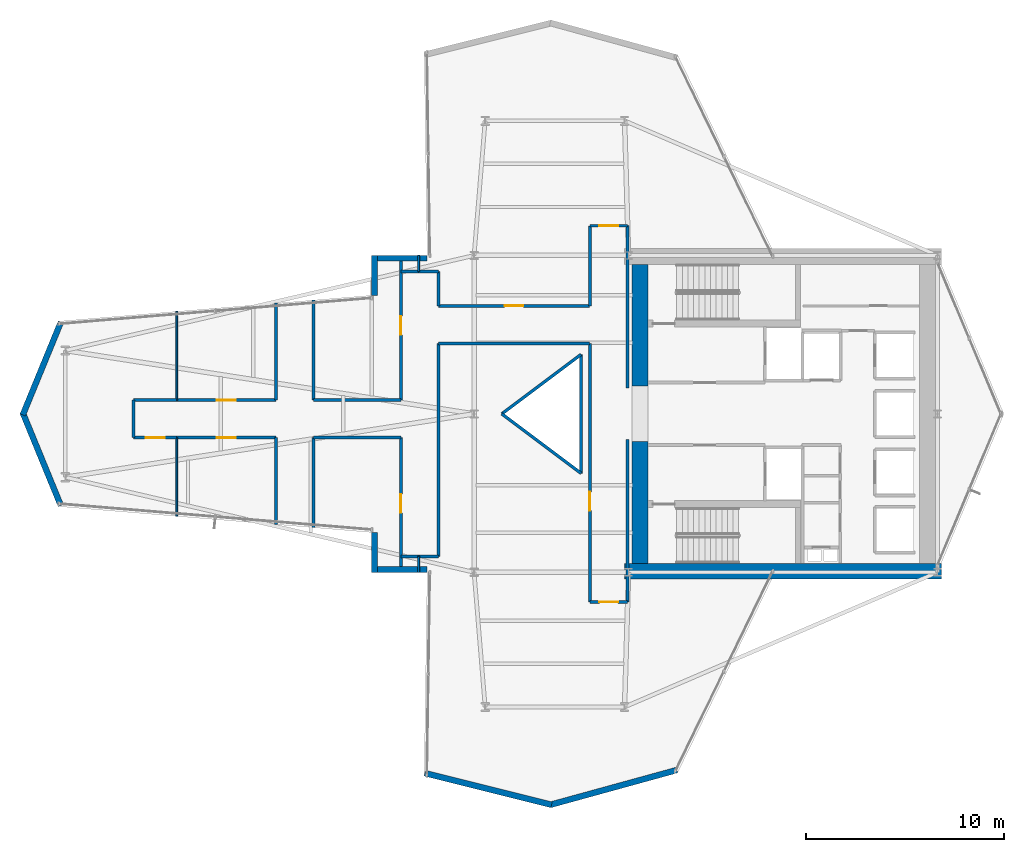
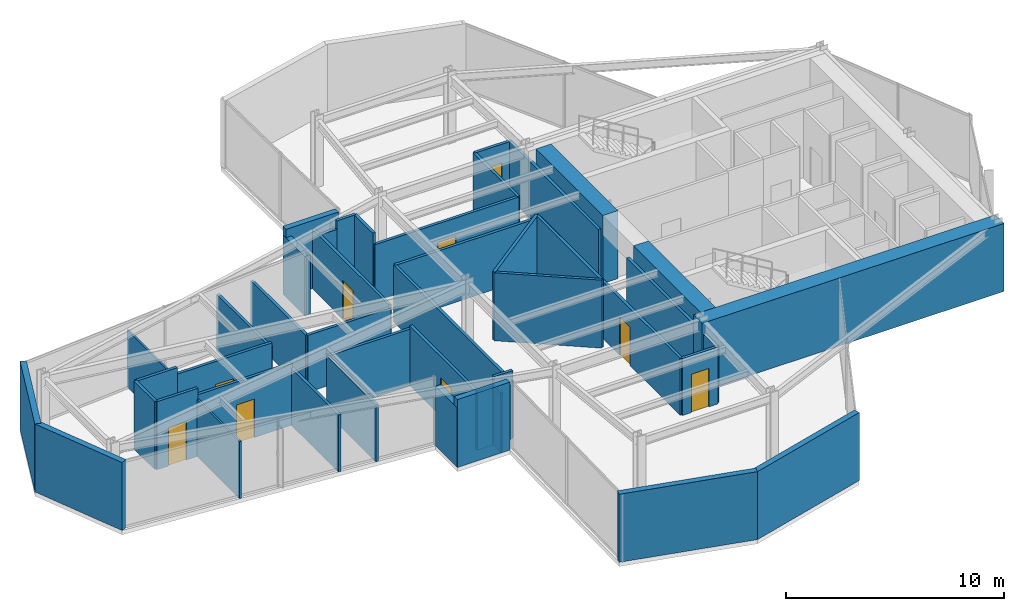
# One storey, part 22 of 25: 45 walls, 9 doors, 9 openings.
"""IFC4 building model written with IfcOpenShell, lengths in metres."""

from ifc_helpers import new_model, si_unit, direction, frame, frame_2d, origin, place, context, subcontext, project, spatial, rectangle, extrude, material, layer, layer_set, type_object, element, fill, save


model = new_model("IFC4")

# Units and contexts
model_context = context("Model", 3, precision=1e-05, world=origin(), true_north=direction((0.0, 1.0)))
body_context = subcontext(model_context, "Body", "Model", "MODEL_VIEW")
ifc_project = project(units=[si_unit("LENGTHUNIT", "METRE"), si_unit("AREAUNIT", "SQUARE_METRE"), si_unit("VOLUMEUNIT", "CUBIC_METRE"), si_unit("PLANEANGLEUNIT", "RADIAN"), si_unit("MASSUNIT", "GRAM", prefix="KILO")], contexts=[model_context])

# Site, building, storey
site_placement = place(None, origin())
site = spatial("IfcSite", under=ifc_project, at=site_placement, CompositionType="ELEMENT")
building_placement = place(site_placement, origin())
building = spatial("IfcBuilding", under=site, at=building_placement, Name="Veymaron Broadcast Tower", CompositionType="ELEMENT")
storey_placement = place(building_placement, frame((0.0, 0.0, 120.89990234375)))
storey = spatial("IfcBuildingStorey", under=building, at=storey_placement, Name="L27", CompositionType="ELEMENT", Elevation=120.89990234375)

# Walls
ifc_material_1 = material(Name="Precast concrete C40/50 with mineral-wool insulation", Category="concrete")
ifc_layer_1 = layer(ifc_material_1, 0.300048828125)
ifc_layer_set_1 = layer_set([ifc_layer_1], Name="Precast concrete C40/50 with mineral-wool insulation")
wall_type_1 = type_object("IfcWallType", Name="WALL-EXT-300", PredefinedType="STANDARD", material=ifc_layer_set_1)
wall_1_placement = place(storey_placement, frame((28.828369140625, 31.860107421875, 0.0), z_axis=(0.0, 0.0, 1.0), x_axis=(-1.0, 0.0, 0.0)))
element("IfcWall", 1, at=wall_1_placement, inside=storey, type_object=wall_type_1, Name="L27 notched corner facade pier 9-1", PredefinedType="STANDARD", context=body_context, shape_type="SweptSolid", body=[
    extrude(rectangle(XDim=2.788330078125, YDim=0.300048828125, at=frame_2d((1.39404296875, 0.0))), origin(), (0.0, 0.0, 1.0), 3.81005859375),
])
wall_2_placement = place(storey_placement, frame((26.179931640625, 32.0, 0.0), z_axis=(0.0, 0.0, 1.0), x_axis=(0.0, -1.0, 0.0)))
element("IfcWall", 2, at=wall_2_placement, inside=storey, type_object=wall_type_1, Name="L27 notched corner facade pier 10-1", PredefinedType="STANDARD", context=body_context, shape_type="SweptSolid", body=[
    extrude(rectangle(XDim=2.009521484375, YDim=0.300048828125, at=frame_2d((1.0048828125, 0.0))), origin(), (0.0, 0.0, 1.0), 3.338134765625),
])
for number, where, z_axis, x_axis, name in (
    (3, (10.32958984375, 28.62548828125, 0.0), (0.0, 0.0, 1.0), (-0.379673954521, -0.925120364201, 0.0), "L27 notched corner facade pier 12-1"),
    (4, (8.409423828125, 24.05322265625, 0.0), (0.0, 0.0, 1.0), (0.379673954521, -0.925120364201, 0.0), "L27 notched corner facade pier 13-1"),
):
    element("IfcWall", number, at=place(storey_placement, frame(where, z_axis=z_axis, x_axis=x_axis)), inside=storey, type_object=wall_type_1, Name=name, PredefinedType="STANDARD", context=body_context, shape_type="SweptSolid", body=[
        extrude(rectangle(XDim=5.057373046875, YDim=0.300048828125, at=frame_2d((2.52880859375, 0.0))), origin(), (0.0, 0.0, 1.0), 3.81005859375),
    ])
wall_3_placement = place(storey_placement, frame((26.179931640625, 18.009521484375, 0.0), z_axis=(0.0, 0.0, 1.0), x_axis=(0.0, -1.0, 0.0)))
element("IfcWall", 5, at=wall_3_placement, inside=storey, type_object=wall_type_1, Name="L27 notched corner facade pier 15-1", PredefinedType="STANDARD", context=body_context, shape_type="SweptSolid", body=[
    extrude(rectangle(XDim=2.009521484375, YDim=0.300048828125, at=frame_2d((1.0048828125, 0.0))), origin(), (0.0, 0.0, 1.0), 3.338134765625),
])
wall_4_placement = place(storey_placement, frame((26.0400390625, 16.139892578125, 0.0), z_axis=(0.0, 0.0, 1.0), x_axis=(1.0, 0.0, 0.0)))
element("IfcWall", 6, at=wall_4_placement, inside=storey, type_object=wall_type_1, Name="L27 notched corner facade pier 16-1", PredefinedType="STANDARD", context=body_context, shape_type="SweptSolid", body=[
    extrude(rectangle(XDim=2.788330078125, YDim=0.300048828125, at=frame_2d((1.39404296875, 0.0))), origin(), (0.0, 0.0, 1.0), 3.81005859375),
])
wall_5_placement = place(storey_placement, frame((28.711669921875, 5.855712890625, 0.0), z_axis=(0.0, 0.0, 1.0), x_axis=(0.970168608955, -0.242431165897, 0.0)))
element("IfcWall", 7, at=wall_5_placement, inside=storey, type_object=wall_type_1, Name="L27 notched corner facade pier 18-1", PredefinedType="STANDARD", context=body_context, shape_type="SweptSolid", body=[
    extrude(rectangle(XDim=6.59912109375, YDim=0.300048828125, at=frame_2d((3.299560546875, 0.0))), origin(), (0.0, 0.0, 1.0), 3.81005859375),
])
wall_6_placement = place(storey_placement, frame((35.04296875, 4.2548828125, 0.0), z_axis=(0.0, 0.0, 1.0), x_axis=(0.96422724659, 0.265077001894, 0.0)))
element("IfcWall", 8, at=wall_6_placement, inside=storey, type_object=wall_type_1, Name="L27 notched corner facade pier 19-1", PredefinedType="STANDARD", context=body_context, shape_type="SweptSolid", body=[
    extrude(rectangle(XDim=6.6396484375, YDim=0.300048828125, at=frame_2d((3.31982421875, 0.0))), origin(), (0.0, 0.0, 1.0), 3.81005859375),
])

# Wall, opening, door
ifc_material_2 = material(Name="Gypsum fireboard and steel stud framing", Category="steel")
ifc_layer_2 = layer(ifc_material_2, 0.14990234375)
ifc_layer_set_2 = layer_set([ifc_layer_2], Name="Gypsum fireboard and steel stud framing")
wall_type_2 = type_object("IfcWallType", Name="WALL-FIRE-150", PredefinedType="PARTITIONING", material=ifc_layer_set_2)
wall_7_placement = place(storey_placement, frame((37.050048828125, 14.5, 0.0), z_axis=(0.0, 0.0, 1.0), x_axis=(1.0, 0.0, 0.0)))
wall_7 = element("IfcWall", 9, at=wall_7_placement, inside=storey, type_object=wall_type_2, Name="L27 partition IW-L27-P03", PredefinedType="PARTITIONING", context=body_context, shape_type="SweptSolid", body=[
    extrude(rectangle(XDim=1.89990234375, YDim=0.14990234375, at=frame_2d((0.949951171875, 0.0))), origin(), (0.0, 0.0, 1.0), 3.190185546875),
])
opening_1_placement = place(wall_7_placement, frame((0.47509765625, 0.0, 0.0)))
opening_1 = element("IfcOpeningElement", 10, at=opening_1_placement, cuts=wall_7, Name="Opening ID-RM1", PredefinedType="OPENING", context=body_context, shape_type="SweptSolid", body=[
    extrude(rectangle(XDim=0.949951171875, YDim=2.14990234375, at=frame_2d((0.47509765625, 1.074951171875))), frame((0.0, 0.0849609375, 0.0), z_axis=(0.0, -1.0, 0.0), x_axis=(1.0, 0.0, 0.0)), (0.0, 0.0, 1.0), 0.169921875),
])
ifc_material_3 = material(Name="Acoustic solid-core European oak veneer timber", Category="wood")
door_type = type_object("IfcDoorType", Name="DOOR-INT-950", OperationType="NOTDEFINED", PredefinedType="DOOR", material=ifc_material_3)
door_1_placement = place(opening_1_placement, frame((0.949951171875, 0.0, 0.0), z_axis=(0.0, 0.0, 1.0), x_axis=(-1.0, 0.0, 0.0)))
door_1 = element("IfcDoor", 11, at=door_1_placement, inside=storey, type_object=door_type, Name="L27 door DR-L27-P03", OperationType="SINGLE_SWING_RIGHT", OverallHeight=2.14990234375, OverallWidth=0.949951171875, PredefinedType="DOOR", context=body_context, shape_type="SweptSolid", body=[
    extrude(rectangle(XDim=0.949951171875, YDim=2.14990234375, at=frame_2d((0.47509765625, 1.074951171875))), frame((0.0, 0.02490234375, 0.0), z_axis=(0.0, -1.0, 0.0), x_axis=(1.0, 0.0, 0.0)), (0.0, 0.0, 1.0), 0.050048828125),
])
fill(opening_1, door_1)

wall_8_placement = place(storey_placement, frame((37.050048828125, 14.5, 0.0), z_axis=(0.0, 0.0, 1.0), x_axis=(0.0, 1.0, 0.0)))
wall_8 = element("IfcWall", 12, at=wall_8_placement, inside=storey, type_object=wall_type_2, Name="L27 partition IW-L27-P04", PredefinedType="PARTITIONING", context=body_context, shape_type="SweptSolid", body=[
    extrude(rectangle(XDim=13.050048828125, YDim=0.14990234375, at=frame_2d((6.52490234375, 0.0))), origin(), (0.0, 0.0, 1.0), 3.190185546875),
])
opening_2_placement = place(wall_8_placement, frame((4.610107421875, 0.0, 0.0)))
opening_2 = element("IfcOpeningElement", 13, at=opening_2_placement, cuts=wall_8, Name="Opening ID-RM1", PredefinedType="OPENING", context=body_context, shape_type="SweptSolid", body=[
    extrude(rectangle(XDim=0.949951171875, YDim=2.14990234375, at=frame_2d((0.47509765625, 1.074951171875))), frame((0.0, 0.0849609375, 0.0), z_axis=(0.0, -1.0, 0.0), x_axis=(1.0, 0.0, 0.0)), (0.0, 0.0, 1.0), 0.169921875),
])
door_2_placement = place(opening_2_placement, frame((0.949951171875, 0.0, 0.0), z_axis=(0.0, 0.0, 1.0), x_axis=(-1.0, 0.0, 0.0)))
door_2 = element("IfcDoor", 14, at=door_2_placement, inside=storey, type_object=door_type, Name="L27 door DR-L27-P04", OperationType="SINGLE_SWING_LEFT", OverallHeight=2.14990234375, OverallWidth=0.949951171875, PredefinedType="DOOR", context=body_context, shape_type="SweptSolid", body=[
    extrude(rectangle(XDim=0.949951171875, YDim=2.14990234375, at=frame_2d((0.47509765625, 1.074951171875))), frame((0.0, 0.02490234375, 0.0), z_axis=(0.0, -1.0, 0.0), x_axis=(1.0, 0.0, 0.0)), (0.0, 0.0, 1.0), 0.050048828125),
])
fill(opening_2, door_2)

wall_9_placement = place(storey_placement, frame((27.5, 16.139892578125, 0.0), z_axis=(0.0, 0.0, 1.0), x_axis=(0.0, 1.0, 0.0)))
wall_9 = element("IfcWall", 15, at=wall_9_placement, inside=storey, type_object=wall_type_2, Name="L27 partition IW-L27-P08", PredefinedType="PARTITIONING", context=body_context, shape_type="SweptSolid", body=[
    extrude(rectangle(XDim=6.66015625, YDim=0.14990234375, at=frame_2d((3.330078125, 0.0))), origin(), (0.0, 0.0, 1.0), 3.338134765625),
])
opening_3_placement = place(wall_9_placement, frame((2.85498046875, 0.0, 0.0)))
opening_3 = element("IfcOpeningElement", 16, at=opening_3_placement, cuts=wall_9, Name="Opening ID-RM1", PredefinedType="OPENING", context=body_context, shape_type="SweptSolid", body=[
    extrude(rectangle(XDim=0.949951171875, YDim=2.14990234375, at=frame_2d((0.47509765625, 1.074951171875))), frame((0.0, 0.0849609375, 0.0), z_axis=(0.0, -1.0, 0.0), x_axis=(1.0, 0.0, 0.0)), (0.0, 0.0, 1.0), 0.169921875),
])
door_3_placement = place(opening_3_placement, origin())
door_3 = element("IfcDoor", 17, at=door_3_placement, inside=storey, type_object=door_type, Name="L27 door DR-L27-P08", OperationType="SINGLE_SWING_LEFT", OverallHeight=2.14990234375, OverallWidth=0.949951171875, PredefinedType="DOOR", context=body_context, shape_type="SweptSolid", body=[
    extrude(rectangle(XDim=0.949951171875, YDim=2.14990234375, at=frame_2d((0.47509765625, 1.074951171875))), frame((0.0, 0.02490234375, 0.0), z_axis=(0.0, -1.0, 0.0), x_axis=(1.0, 0.0, 0.0)), (0.0, 0.0, 1.0), 0.050048828125),
])
fill(opening_3, door_3)

wall_10_placement = place(storey_placement, frame((16.18603515625, 22.800048828125, 0.0), z_axis=(0.0, 0.0, 1.0), x_axis=(1.0, 0.0, 0.0)))
wall_10 = element("IfcWall", 18, at=wall_10_placement, inside=storey, type_object=wall_type_2, Name="L27 partition IW-L27-P12", PredefinedType="PARTITIONING", context=body_context, shape_type="SweptSolid", body=[
    extrude(rectangle(XDim=5.013916015625, YDim=0.14990234375, at=frame_2d((2.5068359375, 0.0))), origin(), (0.0, 0.0, 1.0), 3.443115234375),
])
opening_4_placement = place(wall_10_placement, frame((2.031982421875, 0.0, 0.0)))
opening_4 = element("IfcOpeningElement", 19, at=opening_4_placement, cuts=wall_10, Name="Opening ID-RM1", PredefinedType="OPENING", context=body_context, shape_type="SweptSolid", body=[
    extrude(rectangle(XDim=0.949951171875, YDim=2.14990234375, at=frame_2d((0.47509765625, 1.074951171875))), frame((0.0, 0.0849609375, 0.0), z_axis=(0.0, -1.0, 0.0), x_axis=(1.0, 0.0, 0.0)), (0.0, 0.0, 1.0), 0.169921875),
])
door_4_placement = place(opening_4_placement, frame((0.949951171875, 0.0, 0.0), z_axis=(0.0, 0.0, 1.0), x_axis=(-1.0, 0.0, 0.0)))
door_4 = element("IfcDoor", 20, at=door_4_placement, inside=storey, type_object=door_type, Name="L27 door DR-L27-P12", OperationType="SINGLE_SWING_LEFT", OverallHeight=2.14990234375, OverallWidth=0.949951171875, PredefinedType="DOOR", context=body_context, shape_type="SweptSolid", body=[
    extrude(rectangle(XDim=0.949951171875, YDim=2.14990234375, at=frame_2d((0.47509765625, 1.074951171875))), frame((0.0, 0.02490234375, 0.0), z_axis=(0.0, -1.0, 0.0), x_axis=(1.0, 0.0, 0.0)), (0.0, 0.0, 1.0), 0.050048828125),
])
fill(opening_4, door_4)

wall_11_placement = place(storey_placement, frame((14.0, 22.800048828125, 0.0), z_axis=(0.0, 0.0, 1.0), x_axis=(1.0, 0.0, 0.0)))
wall_11 = element("IfcWall", 21, at=wall_11_placement, inside=storey, type_object=wall_type_2, Name="L27 partition IW-L27-P14", PredefinedType="PARTITIONING", context=body_context, shape_type="SweptSolid", body=[
    extrude(rectangle(XDim=2.18603515625, YDim=0.14990234375, at=frame_2d((1.093017578125, 0.0))), origin(), (0.0, 0.0, 1.0), 3.81005859375),
])
opening_5_placement = place(wall_11_placement, frame((0.617919921875, 0.0, 0.0)))
opening_5 = element("IfcOpeningElement", 22, at=opening_5_placement, cuts=wall_11, Name="Opening ID-RM1", PredefinedType="OPENING", context=body_context, shape_type="SweptSolid", body=[
    extrude(rectangle(XDim=0.949951171875, YDim=2.14990234375, at=frame_2d((0.47509765625, 1.074951171875))), frame((0.0, 0.0849609375, 0.0), z_axis=(0.0, -1.0, 0.0), x_axis=(1.0, 0.0, 0.0)), (0.0, 0.0, 1.0), 0.169921875),
])
door_5_placement = place(opening_5_placement, frame((0.949951171875, 0.0, 0.0), z_axis=(0.0, 0.0, 1.0), x_axis=(-1.0, 0.0, 0.0)))
door_5 = element("IfcDoor", 23, at=door_5_placement, inside=storey, type_object=door_type, Name="L27 door DR-L27-P14", OperationType="SINGLE_SWING_LEFT", OverallHeight=2.14990234375, OverallWidth=0.949951171875, PredefinedType="DOOR", context=body_context, shape_type="SweptSolid", body=[
    extrude(rectangle(XDim=0.949951171875, YDim=2.14990234375, at=frame_2d((0.47509765625, 1.074951171875))), frame((0.0, 0.02490234375, 0.0), z_axis=(0.0, -1.0, 0.0), x_axis=(1.0, 0.0, 0.0)), (0.0, 0.0, 1.0), 0.050048828125),
])
fill(opening_5, door_5)

wall_12_placement = place(storey_placement, frame((16.18603515625, 24.699951171875, 0.0), z_axis=(0.0, 0.0, 1.0), x_axis=(1.0, 0.0, 0.0)))
wall_12 = element("IfcWall", 24, at=wall_12_placement, inside=storey, type_object=wall_type_2, Name="L27 partition IW-L27-P17", PredefinedType="PARTITIONING", context=body_context, shape_type="SweptSolid", body=[
    extrude(rectangle(XDim=5.013916015625, YDim=0.14990234375, at=frame_2d((2.5068359375, 0.0))), origin(), (0.0, 0.0, 1.0), 3.443115234375),
])
opening_6_placement = place(wall_12_placement, frame((2.031982421875, 0.0, 0.0)))
opening_6 = element("IfcOpeningElement", 25, at=opening_6_placement, cuts=wall_12, Name="Opening ID-RM1", PredefinedType="OPENING", context=body_context, shape_type="SweptSolid", body=[
    extrude(rectangle(XDim=0.949951171875, YDim=2.14990234375, at=frame_2d((0.47509765625, 1.074951171875))), frame((0.0, 0.0849609375, 0.0), z_axis=(0.0, -1.0, 0.0), x_axis=(1.0, 0.0, 0.0)), (0.0, 0.0, 1.0), 0.169921875),
])
door_6_placement = place(opening_6_placement, origin())
door_6 = element("IfcDoor", 26, at=door_6_placement, inside=storey, type_object=door_type, Name="L27 door DR-L27-P17", OperationType="SINGLE_SWING_RIGHT", OverallHeight=2.14990234375, OverallWidth=0.949951171875, PredefinedType="DOOR", context=body_context, shape_type="SweptSolid", body=[
    extrude(rectangle(XDim=0.949951171875, YDim=2.14990234375, at=frame_2d((0.47509765625, 1.074951171875))), frame((0.0, 0.02490234375, 0.0), z_axis=(0.0, -1.0, 0.0), x_axis=(1.0, 0.0, 0.0)), (0.0, 0.0, 1.0), 0.050048828125),
])
fill(opening_6, door_6)

wall_13_placement = place(storey_placement, frame((27.5, 24.699951171875, 0.0), z_axis=(0.0, 0.0, 1.0), x_axis=(0.0, 1.0, 0.0)))
wall_13 = element("IfcWall", 27, at=wall_13_placement, inside=storey, type_object=wall_type_2, Name="L27 partition IW-L27-P19", PredefinedType="PARTITIONING", context=body_context, shape_type="SweptSolid", body=[
    extrude(rectangle(XDim=7.16015625, YDim=0.14990234375, at=frame_2d((3.580078125, 0.0))), origin(), (0.0, 0.0, 1.0), 3.338134765625),
])
opening_7_placement = place(wall_13_placement, frame((3.284912109375, 0.0, 0.0)))
opening_7 = element("IfcOpeningElement", 28, at=opening_7_placement, cuts=wall_13, Name="Opening ID-RM1", PredefinedType="OPENING", context=body_context, shape_type="SweptSolid", body=[
    extrude(rectangle(XDim=0.949951171875, YDim=2.14990234375, at=frame_2d((0.47509765625, 1.074951171875))), frame((0.0, 0.0849609375, 0.0), z_axis=(0.0, -1.0, 0.0), x_axis=(1.0, 0.0, 0.0)), (0.0, 0.0, 1.0), 0.169921875),
])
door_7_placement = place(opening_7_placement, origin())
door_7 = element("IfcDoor", 29, at=door_7_placement, inside=storey, type_object=door_type, Name="L27 door DR-L27-P19", OperationType="SINGLE_SWING_RIGHT", OverallHeight=2.14990234375, OverallWidth=0.949951171875, PredefinedType="DOOR", context=body_context, shape_type="SweptSolid", body=[
    extrude(rectangle(XDim=0.949951171875, YDim=2.14990234375, at=frame_2d((0.47509765625, 1.074951171875))), frame((0.0, 0.02490234375, 0.0), z_axis=(0.0, -1.0, 0.0), x_axis=(1.0, 0.0, 0.0)), (0.0, 0.0, 1.0), 0.050048828125),
])
fill(opening_7, door_7)

wall_14_placement = place(storey_placement, frame((29.39990234375, 29.449951171875, 0.0), z_axis=(0.0, 0.0, 1.0), x_axis=(1.0, 0.0, 0.0)))
wall_14 = element("IfcWall", 30, at=wall_14_placement, inside=storey, type_object=wall_type_2, Name="L27 partition IW-L27-P23", PredefinedType="PARTITIONING", context=body_context, shape_type="SweptSolid", body=[
    extrude(rectangle(XDim=7.628173828125, YDim=0.14990234375, at=frame_2d((3.81396484375, 0.0))), origin(), (0.0, 0.0, 1.0), 3.190185546875),
])
opening_8_placement = place(wall_14_placement, frame((3.339111328125, 0.0, 0.0)))
opening_8 = element("IfcOpeningElement", 31, at=opening_8_placement, cuts=wall_14, Name="Opening ID-RM1", PredefinedType="OPENING", context=body_context, shape_type="SweptSolid", body=[
    extrude(rectangle(XDim=0.949951171875, YDim=2.14990234375, at=frame_2d((0.47509765625, 1.074951171875))), frame((0.0, 0.0849609375, 0.0), z_axis=(0.0, -1.0, 0.0), x_axis=(1.0, 0.0, 0.0)), (0.0, 0.0, 1.0), 0.169921875),
])
door_8_placement = place(opening_8_placement, origin())
door_8 = element("IfcDoor", 32, at=door_8_placement, inside=storey, type_object=door_type, Name="L27 door DR-L27-P23", OperationType="SINGLE_SWING_RIGHT", OverallHeight=2.14990234375, OverallWidth=0.949951171875, PredefinedType="DOOR", context=body_context, shape_type="SweptSolid", body=[
    extrude(rectangle(XDim=0.949951171875, YDim=2.14990234375, at=frame_2d((0.47509765625, 1.074951171875))), frame((0.0, 0.02490234375, 0.0), z_axis=(0.0, -1.0, 0.0), x_axis=(1.0, 0.0, 0.0)), (0.0, 0.0, 1.0), 0.050048828125),
])
fill(opening_8, door_8)

wall_15_placement = place(storey_placement, frame((37.050048828125, 33.5, 0.0), z_axis=(0.0, 0.0, 1.0), x_axis=(1.0, 0.0, 0.0)))
wall_15 = element("IfcWall", 33, at=wall_15_placement, inside=storey, type_object=wall_type_2, Name="L27 partition IW-L27-P29", PredefinedType="PARTITIONING", context=body_context, shape_type="SweptSolid", body=[
    extrude(rectangle(XDim=1.89990234375, YDim=0.14990234375, at=frame_2d((0.949951171875, 0.0))), origin(), (0.0, 0.0, 1.0), 3.190185546875),
])
opening_9_placement = place(wall_15_placement, frame((0.47509765625, 0.0, 0.0)))
opening_9 = element("IfcOpeningElement", 34, at=opening_9_placement, cuts=wall_15, Name="Opening ID-RM1", PredefinedType="OPENING", context=body_context, shape_type="SweptSolid", body=[
    extrude(rectangle(XDim=0.949951171875, YDim=2.14990234375, at=frame_2d((0.47509765625, 1.074951171875))), frame((0.0, 0.0849609375, 0.0), z_axis=(0.0, -1.0, 0.0), x_axis=(1.0, 0.0, 0.0)), (0.0, 0.0, 1.0), 0.169921875),
])
door_9_placement = place(opening_9_placement, origin())
door_9 = element("IfcDoor", 35, at=door_9_placement, inside=storey, type_object=door_type, Name="L27 door DR-L27-P29", OperationType="SINGLE_SWING_RIGHT", OverallHeight=2.14990234375, OverallWidth=0.949951171875, PredefinedType="DOOR", context=body_context, shape_type="SweptSolid", body=[
    extrude(rectangle(XDim=0.949951171875, YDim=2.14990234375, at=frame_2d((0.47509765625, 1.074951171875))), frame((0.0, 0.02490234375, 0.0), z_axis=(0.0, -1.0, 0.0), x_axis=(1.0, 0.0, 0.0)), (0.0, 0.0, 1.0), 0.050048828125),
])
fill(opening_9, door_9)

# Walls
wall_16_placement = place(storey_placement, frame((38.949951171875, 14.5, 0.0), z_axis=(0.0, 0.0, 1.0), x_axis=(0.0, 1.0, 0.0)))
element("IfcWall", 36, at=wall_16_placement, inside=storey, type_object=wall_type_2, Name="L27 partition IW-L27-P02", PredefinedType="PARTITIONING", context=body_context, shape_type="SweptSolid", body=[
    extrude(rectangle(XDim=8.199951171875, YDim=0.14990234375, at=frame_2d((4.10009765625, 0.0))), origin(), (0.0, 0.0, 1.0), 3.190185546875),
])
wall_17_placement = place(storey_placement, frame((29.39990234375, 16.800048828125, 0.0), z_axis=(0.0, 0.0, 1.0), x_axis=(0.0, 1.0, 0.0)))
element("IfcWall", 37, at=wall_17_placement, inside=storey, type_object=wall_type_2, Name="L27 partition IW-L27-P05", PredefinedType="PARTITIONING", context=body_context, shape_type="SweptSolid", body=[
    extrude(rectangle(XDim=10.75, YDim=0.14990234375, at=frame_2d((5.375, 0.0))), origin(), (0.0, 0.0, 1.0), 3.190185546875),
])
wall_18_placement = place(storey_placement, frame((29.39990234375, 27.550048828125, 0.0), z_axis=(0.0, 0.0, 1.0), x_axis=(1.0, 0.0, 0.0)))
element("IfcWall", 38, at=wall_18_placement, inside=storey, type_object=wall_type_2, Name="L27 partition IW-L27-P06", PredefinedType="PARTITIONING", context=body_context, shape_type="SweptSolid", body=[
    extrude(rectangle(XDim=7.628173828125, YDim=0.14990234375, at=frame_2d((3.81396484375, 0.0))), origin(), (0.0, 0.0, 1.0), 3.190185546875),
])
wall_19_placement = place(storey_placement, frame((28.404052734375, 16.800048828125, 0.0), z_axis=(0.0, 0.0, 1.0), x_axis=(1.0, 0.0, 0.0)))
element("IfcWall", 39, at=wall_19_placement, inside=storey, type_object=wall_type_2, Name="L27 partition IW-L27-P07", PredefinedType="PARTITIONING", context=body_context, shape_type="SweptSolid", body=[
    extrude(rectangle(XDim=0.995849609375, YDim=0.14990234375, at=frame_2d((0.498046875, 0.0))), origin(), (0.0, 0.0, 1.0), 3.81005859375),
])
wall_20_placement = place(storey_placement, frame((23.10009765625, 18.253173828125, 0.0), z_axis=(0.0, 0.0, 1.0), x_axis=(0.0, 1.0, 0.0)))
element("IfcWall", 40, at=wall_20_placement, inside=storey, type_object=wall_type_2, Name="L27 partition IW-L27-P09", PredefinedType="PARTITIONING", context=body_context, shape_type="SweptSolid", body=[
    extrude(rectangle(XDim=4.546875, YDim=0.14990234375, at=frame_2d((2.2734375, 0.0))), origin(), (0.0, 0.0, 1.0), 3.190185546875),
])
wall_21_placement = place(storey_placement, frame((23.10009765625, 22.800048828125, 0.0), z_axis=(0.0, 0.0, 1.0), x_axis=(1.0, 0.0, 0.0)))
element("IfcWall", 41, at=wall_21_placement, inside=storey, type_object=wall_type_2, Name="L27 partition IW-L27-P10", PredefinedType="PARTITIONING", context=body_context, shape_type="SweptSolid", body=[
    extrude(rectangle(XDim=4.39990234375, YDim=0.14990234375, at=frame_2d((2.199951171875, 0.0))), origin(), (0.0, 0.0, 1.0), 3.190185546875),
])
wall_22_placement = place(storey_placement, frame((27.5, 16.800048828125, 0.0), z_axis=(0.0, 0.0, 1.0), x_axis=(1.0, 0.0, 0.0)))
element("IfcWall", 42, at=wall_22_placement, inside=storey, type_object=wall_type_2, Name="L27 partition IW-L27-P11", PredefinedType="PARTITIONING", context=body_context, shape_type="SweptSolid", body=[
    extrude(rectangle(XDim=0.904052734375, YDim=0.14990234375, at=frame_2d((0.4521484375, 0.0))), origin(), (0.0, 0.0, 1.0), 3.338134765625),
])
wall_23_placement = place(storey_placement, frame((21.199951171875, 18.410400390625, 0.0), z_axis=(0.0, 0.0, 1.0), x_axis=(0.0, 1.0, 0.0)))
element("IfcWall", 43, at=wall_23_placement, inside=storey, type_object=wall_type_2, Name="L27 partition IW-L27-P13", PredefinedType="PARTITIONING", context=body_context, shape_type="SweptSolid", body=[
    extrude(rectangle(XDim=4.3896484375, YDim=0.14990234375, at=frame_2d((2.19482421875, 0.0))), origin(), (0.0, 0.0, 1.0), 3.190185546875),
])
wall_24_placement = place(storey_placement, frame((14.0, 24.699951171875, 0.0), z_axis=(0.0, 0.0, 1.0), x_axis=(1.0, 0.0, 0.0)))
element("IfcWall", 44, at=wall_24_placement, inside=storey, type_object=wall_type_2, Name="L27 partition IW-L27-P15", PredefinedType="PARTITIONING", context=body_context, shape_type="SweptSolid", body=[
    extrude(rectangle(XDim=2.18603515625, YDim=0.14990234375, at=frame_2d((1.093017578125, 0.0))), origin(), (0.0, 0.0, 1.0), 3.81005859375),
])
wall_25_placement = place(storey_placement, frame((14.0, 22.800048828125, 0.0), z_axis=(0.0, 0.0, 1.0), x_axis=(0.0, 1.0, 0.0)))
element("IfcWall", 45, at=wall_25_placement, inside=storey, type_object=wall_type_2, Name="L27 partition IW-L27-P16", PredefinedType="PARTITIONING", context=body_context, shape_type="SweptSolid", body=[
    extrude(rectangle(XDim=1.89990234375, YDim=0.14990234375, at=frame_2d((0.949951171875, 0.0))), origin(), (0.0, 0.0, 1.0), 3.81005859375),
])
wall_26_placement = place(storey_placement, frame((21.199951171875, 24.699951171875, 0.0), z_axis=(0.0, 0.0, 1.0), x_axis=(0.0, 1.0, 0.0)))
element("IfcWall", 46, at=wall_26_placement, inside=storey, type_object=wall_type_2, Name="L27 partition IW-L27-P18", PredefinedType="PARTITIONING", context=body_context, shape_type="SweptSolid", body=[
    extrude(rectangle(XDim=4.8896484375, YDim=0.14990234375, at=frame_2d((2.44482421875, 0.0))), origin(), (0.0, 0.0, 1.0), 3.190185546875),
])
wall_27_placement = place(storey_placement, frame((23.10009765625, 24.699951171875, 0.0), z_axis=(0.0, 0.0, 1.0), x_axis=(0.0, 1.0, 0.0)))
element("IfcWall", 47, at=wall_27_placement, inside=storey, type_object=wall_type_2, Name="L27 partition IW-L27-P20", PredefinedType="PARTITIONING", context=body_context, shape_type="SweptSolid", body=[
    extrude(rectangle(XDim=5.046875, YDim=0.14990234375, at=frame_2d((2.5234375, 0.0))), origin(), (0.0, 0.0, 1.0), 3.190185546875),
])
wall_28_placement = place(storey_placement, frame((23.10009765625, 24.699951171875, 0.0), z_axis=(0.0, 0.0, 1.0), x_axis=(1.0, 0.0, 0.0)))
element("IfcWall", 48, at=wall_28_placement, inside=storey, type_object=wall_type_2, Name="L27 partition IW-L27-P21", PredefinedType="PARTITIONING", context=body_context, shape_type="SweptSolid", body=[
    extrude(rectangle(XDim=4.39990234375, YDim=0.14990234375, at=frame_2d((2.199951171875, 0.0))), origin(), (0.0, 0.0, 1.0), 3.190185546875),
])
wall_29_placement = place(storey_placement, frame((27.5, 31.199951171875, 0.0), z_axis=(0.0, 0.0, 1.0), x_axis=(1.0, 0.0, 0.0)))
element("IfcWall", 49, at=wall_29_placement, inside=storey, type_object=wall_type_2, Name="L27 partition IW-L27-P22", PredefinedType="PARTITIONING", context=body_context, shape_type="SweptSolid", body=[
    extrude(rectangle(XDim=0.904052734375, YDim=0.14990234375, at=frame_2d((0.4521484375, 0.0))), origin(), (0.0, 0.0, 1.0), 3.338134765625),
])
wall_30_placement = place(storey_placement, frame((37.050048828125, 29.449951171875, 0.0), z_axis=(0.0, 0.0, 1.0), x_axis=(0.0, 1.0, 0.0)))
element("IfcWall", 50, at=wall_30_placement, inside=storey, type_object=wall_type_2, Name="L27 partition IW-L27-P24", PredefinedType="PARTITIONING", context=body_context, shape_type="SweptSolid", body=[
    extrude(rectangle(XDim=4.050048828125, YDim=0.14990234375, at=frame_2d((2.02490234375, 0.0))), origin(), (0.0, 0.0, 1.0), 3.190185546875),
])
wall_31_placement = place(storey_placement, frame((29.39990234375, 29.449951171875, 0.0), z_axis=(0.0, 0.0, 1.0), x_axis=(0.0, 1.0, 0.0)))
element("IfcWall", 51, at=wall_31_placement, inside=storey, type_object=wall_type_2, Name="L27 partition IW-L27-P25", PredefinedType="PARTITIONING", context=body_context, shape_type="SweptSolid", body=[
    extrude(rectangle(XDim=1.75, YDim=0.14990234375, at=frame_2d((0.875, 0.0))), origin(), (0.0, 0.0, 1.0), 3.81005859375),
])
wall_32_placement = place(storey_placement, frame((28.404052734375, 31.199951171875, 0.0), z_axis=(0.0, 0.0, 1.0), x_axis=(1.0, 0.0, 0.0)))
element("IfcWall", 52, at=wall_32_placement, inside=storey, type_object=wall_type_2, Name="L27 partition IW-L27-P26", PredefinedType="PARTITIONING", context=body_context, shape_type="SweptSolid", body=[
    extrude(rectangle(XDim=0.995849609375, YDim=0.14990234375, at=frame_2d((0.498046875, 0.0))), origin(), (0.0, 0.0, 1.0), 3.81005859375),
])
wall_33_placement = place(storey_placement, frame((38.949951171875, 25.300048828125, 0.0), z_axis=(0.0, 0.0, 1.0), x_axis=(0.0, 1.0, 0.0)))
element("IfcWall", 53, at=wall_33_placement, inside=storey, type_object=wall_type_2, Name="L27 partition IW-L27-P27", PredefinedType="PARTITIONING", context=body_context, shape_type="SweptSolid", body=[
    extrude(rectangle(XDim=8.199951171875, YDim=0.14990234375, at=frame_2d((4.10009765625, 0.0))), origin(), (0.0, 0.0, 1.0), 3.190185546875),
])
ifc_material_4 = material(Name="Fire-rated laminated glass in aluminium frame", Category="aluminium")
ifc_layer_3 = layer(ifc_material_4, 0.14990234375)
ifc_layer_set_3 = layer_set([ifc_layer_3], Name="Fire-rated laminated glass in aluminium frame")
wall_type_3 = type_object("IfcWallType", Name="WALL-GLZ-150", PredefinedType="MOVABLE", material=ifc_layer_set_3)
wall_34_placement = place(storey_placement, frame((32.60009765625, 24.0, 0.0), z_axis=(0.0, 0.0, 1.0), x_axis=(0.8, -0.6, 0.0)))
element("IfcWall", 54, at=wall_34_placement, inside=storey, type_object=wall_type_3, Name="L27 partition IW-L27-ATR1", PredefinedType="MOVABLE", context=body_context, shape_type="SweptSolid", body=[
    extrude(rectangle(XDim=5.0, YDim=0.14990234375, at=frame_2d((2.5, 0.0))), origin(), (0.0, 0.0, 1.0), 3.81005859375),
])
wall_35_placement = place(storey_placement, frame((36.60009765625, 21.0, 0.0), z_axis=(0.0, 0.0, 1.0), x_axis=(0.0, 1.0, 0.0)))
element("IfcWall", 55, at=wall_35_placement, inside=storey, type_object=wall_type_3, Name="L27 partition IW-L27-ATR2", PredefinedType="MOVABLE", context=body_context, shape_type="SweptSolid", body=[
    extrude(rectangle(XDim=6.0, YDim=0.14990234375, at=frame_2d((3.0, 0.0))), origin(), (0.0, 0.0, 1.0), 3.81005859375),
])
wall_36_placement = place(storey_placement, frame((36.60009765625, 27.0, 0.0), z_axis=(0.0, 0.0, 1.0), x_axis=(-0.8, -0.6, 0.0)))
element("IfcWall", 56, at=wall_36_placement, inside=storey, type_object=wall_type_3, Name="L27 partition IW-L27-ATR3", PredefinedType="MOVABLE", context=body_context, shape_type="SweptSolid", body=[
    extrude(rectangle(XDim=5.0, YDim=0.14990234375, at=frame_2d((2.5, 0.0))), origin(), (0.0, 0.0, 1.0), 3.81005859375),
])
ifc_material_5 = material(Name="Acoustic gypsum board and galvanized stud", Category="gypsum")
ifc_layer_4 = layer(ifc_material_5, 0.10009765625)
ifc_layer_set_4 = layer_set([ifc_layer_4], Name="Acoustic gypsum board and galvanized stud")
wall_type_4 = type_object("IfcWallType", Name="WALL-PART-100", PredefinedType="PARTITIONING", material=ifc_layer_set_4)
wall_37_placement = place(storey_placement, frame((28.404052734375, 16.0, 0.0), z_axis=(0.0, 0.0, 1.0), x_axis=(0.0, 1.0, 0.0)))
element("IfcWall", 57, at=wall_37_placement, inside=storey, type_object=wall_type_4, Name="L27 partition IW-L27-P31", PredefinedType="PARTITIONING", context=body_context, shape_type="SweptSolid", body=[
    extrude(rectangle(XDim=0.800048828125, YDim=0.10009765625, at=frame_2d((0.39990234375, 0.0))), origin(), (0.0, 0.0, 1.0), 3.338134765625),
])
wall_38_placement = place(storey_placement, frame((16.18603515625, 18.82568359375, 0.0), z_axis=(0.0, 0.0, 1.0), x_axis=(0.0, 1.0, 0.0)))
element("IfcWall", 58, at=wall_38_placement, inside=storey, type_object=wall_type_4, Name="L27 partition IW-L27-P32", PredefinedType="PARTITIONING", context=body_context, shape_type="SweptSolid", body=[
    extrude(rectangle(XDim=3.974365234375, YDim=0.10009765625, at=frame_2d((1.9873046875, 0.0))), origin(), (0.0, 0.0, 1.0), 3.190185546875),
])
wall_39_placement = place(storey_placement, frame((16.18603515625, 24.699951171875, 0.0), z_axis=(0.0, 0.0, 1.0), x_axis=(0.0, 1.0, 0.0)))
element("IfcWall", 59, at=wall_39_placement, inside=storey, type_object=wall_type_4, Name="L27 partition IW-L27-P33", PredefinedType="PARTITIONING", context=body_context, shape_type="SweptSolid", body=[
    extrude(rectangle(XDim=4.474365234375, YDim=0.10009765625, at=frame_2d((2.2373046875, 0.0))), origin(), (0.0, 0.0, 1.0), 3.190185546875),
])
wall_40_placement = place(storey_placement, frame((28.404052734375, 31.199951171875, 0.0), z_axis=(0.0, 0.0, 1.0), x_axis=(0.0, 1.0, 0.0)))
element("IfcWall", 60, at=wall_40_placement, inside=storey, type_object=wall_type_4, Name="L27 partition IW-L27-P34", PredefinedType="PARTITIONING", context=body_context, shape_type="SweptSolid", body=[
    extrude(rectangle(XDim=0.800048828125, YDim=0.10009765625, at=frame_2d((0.39990234375, 0.0))), origin(), (0.0, 0.0, 1.0), 3.338134765625),
])
ifc_material_6 = material(Name="Concrete C60/75", Category="concrete")
ifc_layer_5 = layer(ifc_material_6, 0.800048828125)
ifc_layer_set_5 = layer_set([ifc_layer_5], Name="Concrete C60/75")
wall_type_5 = type_object("IfcWallType", Name="WALL-SHEAR-800", PredefinedType="SHEAR", material=ifc_layer_set_5)
wall_41_placement = place(storey_placement, frame((38.800048828125, 16.050048828125, 0.0), z_axis=(0.0, 0.0, 1.0), x_axis=(1.0, 0.0, 0.0)))
element("IfcWall", 61, at=wall_41_placement, inside=storey, type_object=wall_type_5, Name="L27 Core Wall south shear", PredefinedType="SHEAR", context=body_context, shape_type="SweptSolid", body=[
    extrude(rectangle(XDim=16.0, YDim=0.800048828125, at=frame_2d((8.0, 0.0))), origin(), (0.0, 0.0, 1.0), 3.81005859375),
])
for number, where, z_axis, x_axis, name in (
    (62, (39.580078125, 16.449951171875, 0.0), (0.0, 0.0, 1.0), (0.0, 1.0, 0.0), "L27 Core Wall west-south shear"),
    (63, (39.580078125, 25.39990234375, 0.0), (0.0, 0.0, 1.0), (0.0, 1.0, 0.0), "L27 Core Wall west-north shear"),
):
    element("IfcWall", number, at=place(storey_placement, frame(where, z_axis=z_axis, x_axis=x_axis)), inside=storey, type_object=wall_type_5, Name=name, PredefinedType="SHEAR", context=body_context, shape_type="SweptSolid", body=[
        extrude(rectangle(XDim=6.150146484375, YDim=0.800048828125, at=frame_2d((3.0751953125, 0.0))), origin(), (0.0, 0.0, 1.0), 3.81005859375),
    ])

save(model, "model.ifc")
